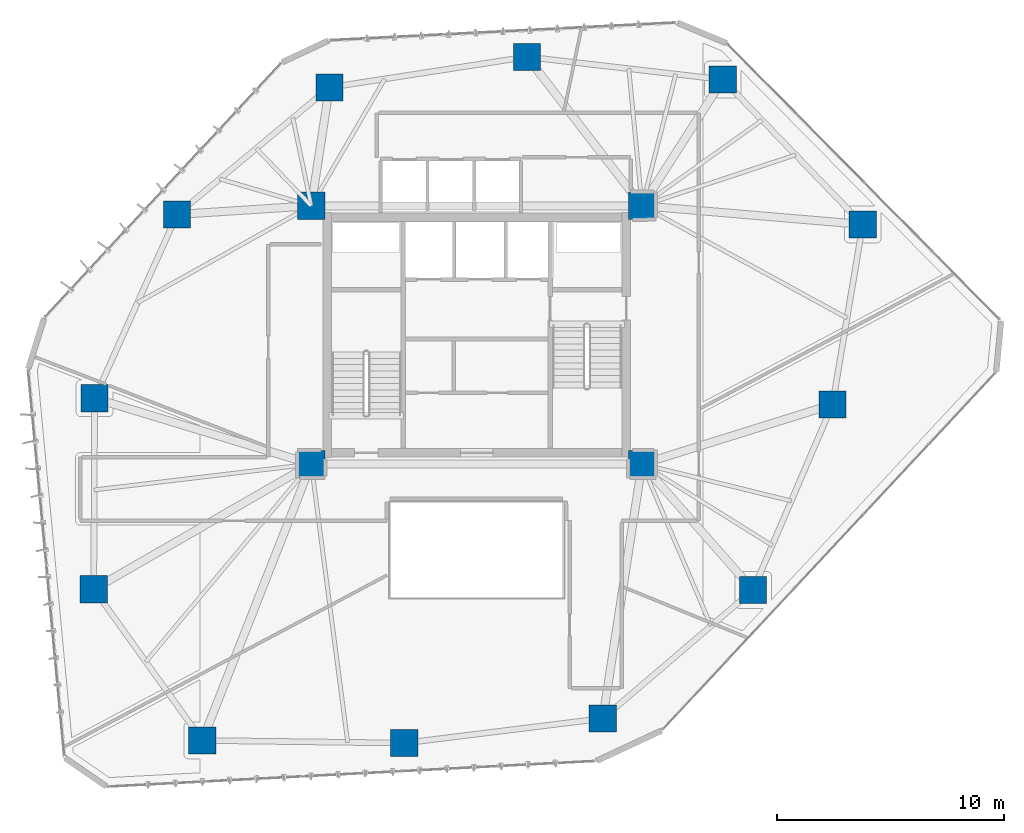
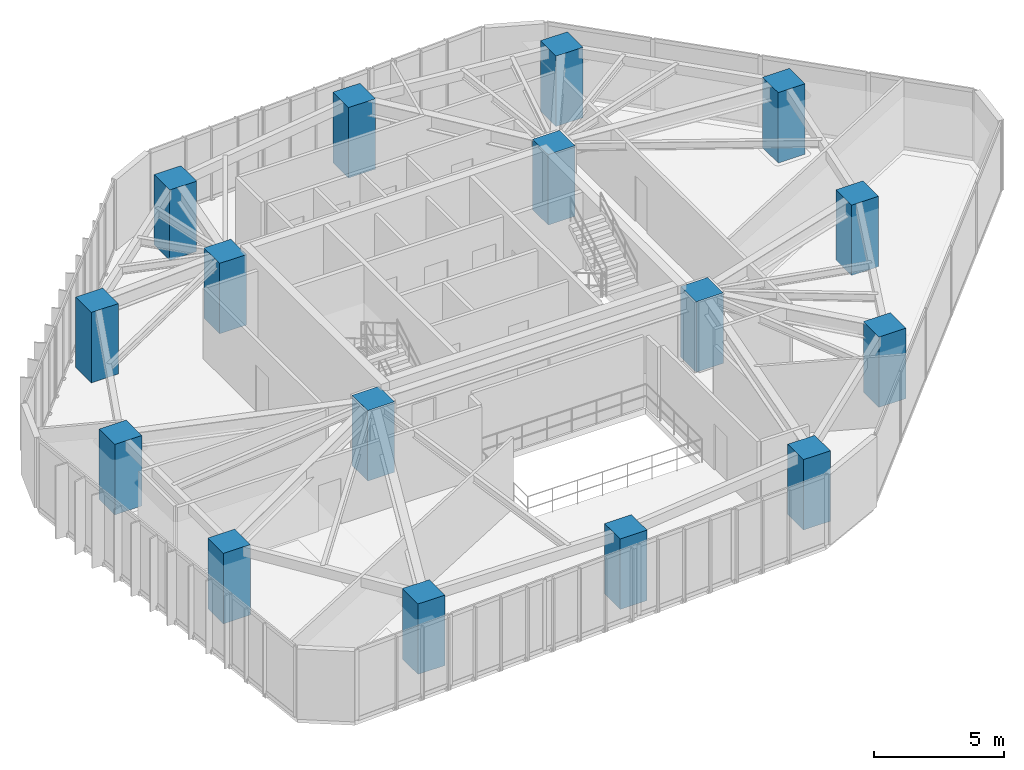
# One storey, part 1 of 23: 16 columns.
"""IFC4 building model written with IfcOpenShell, lengths in metres."""

from ifc_helpers import new_model, si_unit, direction, frame, origin, origin_2d, place, context, subcontext, project, spatial, rectangle, extrude, material, material_profile, profile_set, type_object, element, save


model = new_model("IFC4")

# Units and contexts
model_context = context("Model", 3, precision=1e-05, world=origin(), true_north=direction((0.0, 1.0)))
body_context = subcontext(model_context, "Body", "Model", "MODEL_VIEW")
ifc_project = project(units=[si_unit("LENGTHUNIT", "METRE"), si_unit("AREAUNIT", "SQUARE_METRE"), si_unit("VOLUMEUNIT", "CUBIC_METRE"), si_unit("PLANEANGLEUNIT", "RADIAN"), si_unit("MASSUNIT", "GRAM", prefix="KILO")], contexts=[model_context])

# Site, building, storey
site_placement = place(None, origin())
site = spatial("IfcSite", under=ifc_project, at=site_placement, CompositionType="ELEMENT")
building_placement = place(site_placement, origin())
building = spatial("IfcBuilding", under=site, at=building_placement, Name="Talar Marvaseh", CompositionType="ELEMENT")
storey_placement = place(building_placement, frame((0.0, 0.0, 100.199951171875)))
storey = spatial("IfcBuildingStorey", under=building, at=storey_placement, Name="L25", CompositionType="ELEMENT", Elevation=100.199951171875)

# Columns
ifc_material = material(Name="Concrete C60/75", Category="concrete")
ifc_material_profile = material_profile(ifc_material, rectangle(XDim=1.199951171875, YDim=1.199951171875, at=origin_2d()), Name="RC1200x1200")
ifc_profile_set = profile_set([ifc_material_profile], Name="Concrete C60/75")
column_type = type_object("IfcColumnType", Name="Zone 2 Tube Column RC1200x1200", PredefinedType="COLUMN", material=ifc_profile_set)
for number, where, z_axis, x_axis, name in (
    (1, (36.865966796875, 42.470947265625, 0.0), (0.0, 0.0, 1.0), (1.0, 0.0, 0.0), "L25 Zone 2 Tube Column RC1200x1200"),
    (2, (43.0439453125, 36.075927734375, 0.0), (0.0, 0.0, 1.0), (1.0, 0.0, 0.0), "L25 Zone 2 Tube Column RC1200x1200"),
    (3, (41.708984375, 28.1279296875, 0.0), (0.0, 0.0, 1.0), (1.0, 0.0, 0.0), "L25 Zone 2 Tube Column RC1200x1200"),
    (4, (38.2060546875, 19.94091796875, 0.0), (0.0, 0.0, 1.0), (1.0, 0.0, 0.0), "L25 Zone 2 Tube Column RC1200x1200"),
    (5, (31.570068359375, 14.26806640625, 0.0), (0.0, 0.0, 1.0), (1.0, 0.0, 0.0), "L25 Zone 2 Tube Column RC1200x1200"),
    (6, (22.804931640625, 13.18310546875, 0.0), (0.0, 0.0, 1.0), (1.0, 0.0, 0.0), "L25 Zone 2 Tube Column RC1200x1200"),
    (7, (13.89111328125, 13.299072265625, 0.0), (0.0, 0.0, 1.0), (1.0, 0.0, 0.0), "L25 Zone 2 Tube Column RC1200x1200"),
    (8, (9.10107421875, 19.97705078125, 0.0), (0.0, 0.0, 1.0), (1.0, 0.0, 0.0), "L25 Zone 2 Tube Column RC1200x1200"),
    (9, (9.137939453125, 28.402099609375, 0.0), (0.0, 0.0, 1.0), (1.0, 0.0, 0.0), "L25 Zone 2 Tube Column RC1200x1200"),
    (10, (12.780029296875, 36.51708984375, 0.0), (0.0, 0.0, 1.0), (1.0, 0.0, 0.0), "L25 Zone 2 Tube Column RC1200x1200"),
    (11, (19.5009765625, 42.123046875, 0.0), (0.0, 0.0, 1.0), (1.0, 0.0, 0.0), "L25 Zone 2 Tube Column RC1200x1200"),
    (12, (28.221923828125, 43.471923828125, 0.0), (0.0, 0.0, 1.0), (1.0, 0.0, 0.0), "L25 Zone 2 Tube Column RC1200x1200"),
    (13, (18.699951171875, 25.5, 0.0), (0.0, 0.0, 1.0), (1.0, 0.0, 0.0), "L25 Zone 2 Tube Column RC1200x1200"),
    (14, (33.300048828125, 25.5, 0.0), (0.0, 0.0, 1.0), (1.0, 0.0, 0.0), "L25 Zone 2 Tube Column RC1200x1200"),
    (15, (33.300048828125, 36.89990234375, 0.0), (0.0, 0.0, 1.0), (1.0, 0.0, 0.0), "L25 Zone 2 Tube Column RC1200x1200"),
    (16, (18.699951171875, 36.89990234375, 0.0), (0.0, 0.0, 1.0), (1.0, 0.0, 0.0), "L25 Zone 2 Tube Column RC1200x1200"),
):
    element("IfcColumn", number, at=place(storey_placement, frame(where, z_axis=z_axis, x_axis=x_axis)), inside=storey, type_object=column_type, Name=name, PredefinedType="COLUMN", context=body_context, shape_type="SweptSolid", body=[
        extrude(rectangle(XDim=1.199951171875, YDim=1.199951171875, at=origin_2d()), origin(), (0.0, 0.0, 1.0), 3.31005859375),
    ])

save(model, "model.ifc")
